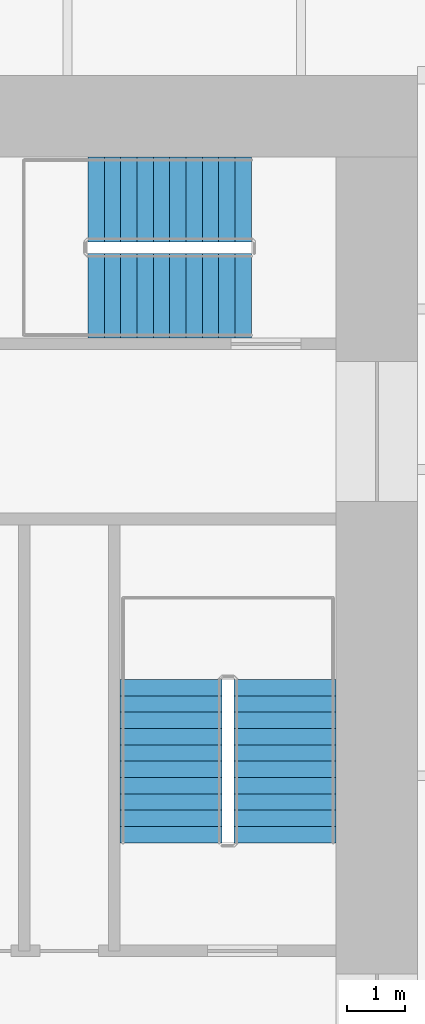
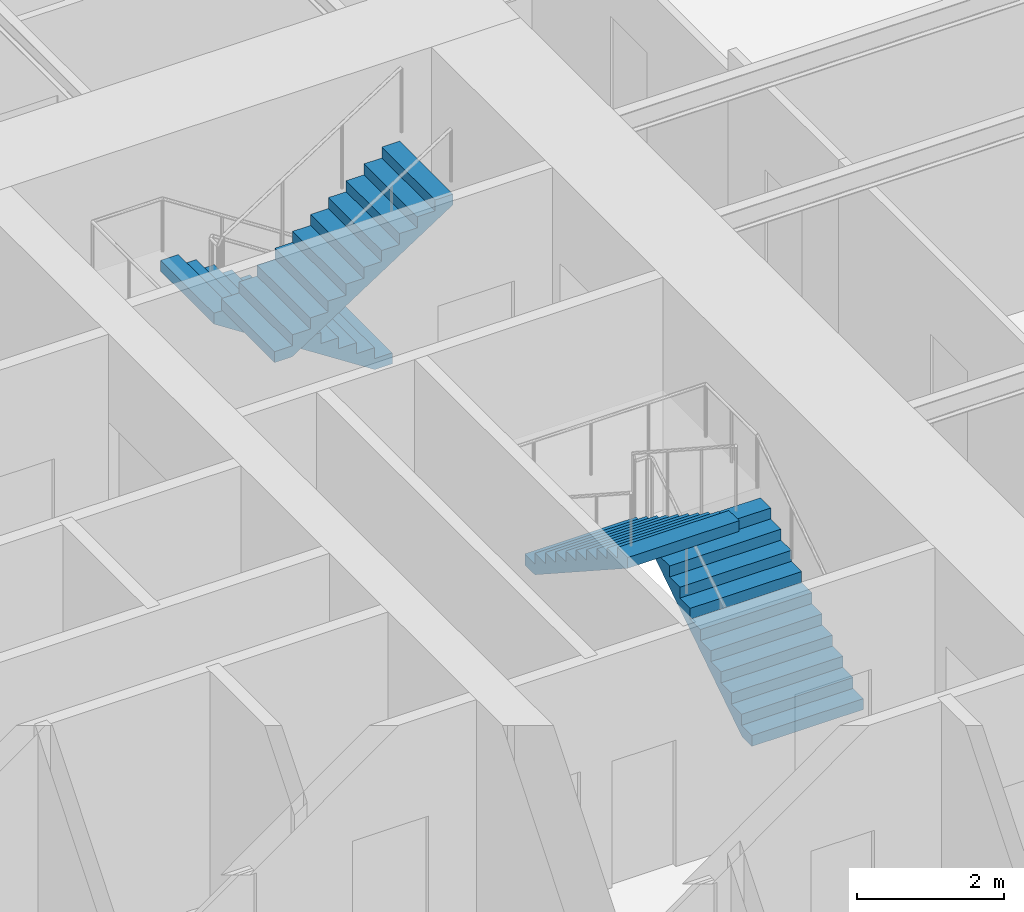
# One storey, part 7 of 9: 4 stair flights, 2 elements without a shape of their own.
"""IFC4 building model written with IfcOpenShell, lengths in metres."""

from ifc_helpers import new_model, si_unit, direction, frame, origin, place, context, subcontext, project, spatial, polyline, outline, extrude, material, type_object, element, aggregate, save


model = new_model("IFC4")

# Units and contexts
model_context = context("Model", 3, precision=1e-05, world=origin(), true_north=direction((0.0, 1.0)))
body_context = subcontext(model_context, "Body", "Model", "MODEL_VIEW")
ifc_project = project(units=[si_unit("LENGTHUNIT", "METRE"), si_unit("AREAUNIT", "SQUARE_METRE"), si_unit("VOLUMEUNIT", "CUBIC_METRE"), si_unit("PLANEANGLEUNIT", "RADIAN"), si_unit("MASSUNIT", "GRAM", prefix="KILO")], contexts=[model_context])

# Site, building, storey
site_placement = place(None, origin())
site = spatial("IfcSite", under=ifc_project, at=site_placement, CompositionType="ELEMENT")
building_placement = place(site_placement, origin())
building = spatial("IfcBuilding", under=site, at=building_placement, Name="Verdant Reach Tower", CompositionType="ELEMENT")
storey_placement = place(building_placement, frame((0.0, 0.0, 30.0)))
storey = spatial("IfcBuildingStorey", under=building, at=storey_placement, Name="L06", CompositionType="ELEMENT", Elevation=30.0)

# Stair, stair flights
ifc_material = material(Name="Concrete C40/50", Category="concrete")
stair_type = type_object("IfcStairType", Name="CO-STAIR", PredefinedType="HALF_TURN_STAIR", material=ifc_material)
stair_1_placement = place(storey_placement, origin())
stair_1 = element("IfcStair", 1, at=stair_1_placement, inside=storey, type_object=stair_type, Name="L06 Exit stair 2", PredefinedType="HALF_TURN_STAIR")
stair_flight_type = type_object("IfcStairFlightType", Name="CO-STAIR-FLIGHT", PredefinedType="STRAIGHT", material=ifc_material)
stair_flight_1_placement = place(storey_placement, frame((11.72509765625, 25.85009765625, 0.0), z_axis=(0.0, 0.0, 1.0), x_axis=(0.0, 1.0, 0.0)))
stair_flight_1 = element("IfcStairFlight", 2, at=stair_flight_1_placement, type_object=stair_flight_type, Name="ST-2 flight 1", NumberOfRisers=11, NumberOfTreads=10, PredefinedType="STRAIGHT", RiserHeight=0.181818182, TreadLength=0.28, context=body_context, shape_type="SweptSolid", body=[
    extrude(outline(polyline([(0.0, 0.0), (0.0, 0.181884765625), (0.280029296875, 0.181884765625), (0.280029296875, 0.363525390625), (0.56005859375, 0.363525390625), (0.56005859375, 0.54541015625), (0.840087890625, 0.54541015625), (0.840087890625, 0.727294921875), (1.1201171875, 0.727294921875), (1.1201171875, 0.9091796875), (1.39990234375, 0.9091796875), (1.39990234375, 1.0908203125), (1.679931640625, 1.0908203125), (1.679931640625, 1.272705078125), (1.9599609375, 1.272705078125), (1.9599609375, 1.45458984375), (2.239990234375, 1.45458984375), (2.239990234375, 1.636474609375), (2.52001953125, 1.636474609375), (2.52001953125, 1.818115234375), (2.800048828125, 1.818115234375), (2.800048828125, 2.0), (2.800048828125, 1.639404296875), (0.275146484375, 0.0), (0.0, 0.0)])), frame((0.0, 0.875, 0.0), z_axis=(0.0, -1.0, 0.0), x_axis=(1.0, 0.0, 0.0)), (0.0, 0.0, 1.0), 1.75),
])
stair_flight_2_placement = place(storey_placement, frame((9.77490234375, 28.64990234375, 2.0), z_axis=(0.0, 0.0, 1.0), x_axis=(0.0, -1.0, 0.0)))
stair_flight_2 = element("IfcStairFlight", 3, at=stair_flight_2_placement, type_object=stair_flight_type, Name="ST-2 flight 2", NumberOfRisers=11, NumberOfTreads=10, PredefinedType="STRAIGHT", RiserHeight=0.181818182, TreadLength=0.28, context=body_context, shape_type="SweptSolid", body=[
    extrude(outline(polyline([(0.0, 0.0), (0.0, 0.181884765625), (0.280029296875, 0.181884765625), (0.280029296875, 0.363525390625), (0.56005859375, 0.363525390625), (0.56005859375, 0.54541015625), (0.840087890625, 0.54541015625), (0.840087890625, 0.727294921875), (1.1201171875, 0.727294921875), (1.1201171875, 0.9091796875), (1.39990234375, 0.9091796875), (1.39990234375, 1.0908203125), (1.679931640625, 1.0908203125), (1.679931640625, 1.272705078125), (1.9599609375, 1.272705078125), (1.9599609375, 1.45458984375), (2.239990234375, 1.45458984375), (2.239990234375, 1.636474609375), (2.52001953125, 1.636474609375), (2.52001953125, 1.818115234375), (2.800048828125, 1.818115234375), (2.800048828125, 2.0), (2.800048828125, 1.639404296875), (0.275146484375, 0.0), (0.0, 0.0)])), frame((0.0, 0.875, 0.0), z_axis=(0.0, -1.0, 0.0), x_axis=(1.0, 0.0, 0.0)), (0.0, 0.0, 1.0), 1.75),
])
aggregate(stair_1, [stair_flight_1, stair_flight_2])

stair_2_placement = place(storey_placement, origin())
stair_2 = element("IfcStair", 4, at=stair_2_placement, inside=storey, type_object=stair_type, Name="L06 Exit stair 3", PredefinedType="HALF_TURN_STAIR")
stair_flight_3_placement = place(storey_placement, frame((11.14990234375, 36.875, 0.0), z_axis=(0.0, 0.0, 1.0), x_axis=(-1.0, 0.0, 0.0)))
stair_flight_3 = element("IfcStairFlight", 5, at=stair_flight_3_placement, type_object=stair_flight_type, Name="ST-3 flight 1", NumberOfRisers=11, NumberOfTreads=10, PredefinedType="STRAIGHT", RiserHeight=0.181818182, TreadLength=0.28, context=body_context, shape_type="SweptSolid", body=[
    extrude(outline(polyline([(0.0, 0.0), (0.0, 0.181884765625), (0.280029296875, 0.181884765625), (0.280029296875, 0.363525390625), (0.56005859375, 0.363525390625), (0.56005859375, 0.54541015625), (0.840087890625, 0.54541015625), (0.840087890625, 0.727294921875), (1.1201171875, 0.727294921875), (1.1201171875, 0.9091796875), (1.39990234375, 0.9091796875), (1.39990234375, 1.0908203125), (1.679931640625, 1.0908203125), (1.679931640625, 1.272705078125), (1.9599609375, 1.272705078125), (1.9599609375, 1.45458984375), (2.239990234375, 1.45458984375), (2.239990234375, 1.636474609375), (2.52001953125, 1.636474609375), (2.52001953125, 1.818115234375), (2.800048828125, 1.818115234375), (2.800048828125, 2.0), (2.800048828125, 1.639404296875), (0.275146484375, 0.0), (0.0, 0.0)])), frame((0.0, 0.72509765625, 0.0), z_axis=(0.0, -1.0, 0.0), x_axis=(1.0, 0.0, 0.0)), (0.0, 0.0, 1.0), 1.449951171875),
])
stair_flight_4_placement = place(storey_placement, frame((8.35009765625, 35.22509765625, 2.0), z_axis=(0.0, 0.0, 1.0), x_axis=(1.0, 0.0, 0.0)))
stair_flight_4 = element("IfcStairFlight", 6, at=stair_flight_4_placement, type_object=stair_flight_type, Name="ST-3 flight 2", NumberOfRisers=11, NumberOfTreads=10, PredefinedType="STRAIGHT", RiserHeight=0.181818182, TreadLength=0.28, context=body_context, shape_type="SweptSolid", body=[
    extrude(outline(polyline([(0.0, 0.0), (0.0, 0.181884765625), (0.280029296875, 0.181884765625), (0.280029296875, 0.363525390625), (0.56005859375, 0.363525390625), (0.56005859375, 0.54541015625), (0.840087890625, 0.54541015625), (0.840087890625, 0.727294921875), (1.1201171875, 0.727294921875), (1.1201171875, 0.9091796875), (1.39990234375, 0.9091796875), (1.39990234375, 1.0908203125), (1.679931640625, 1.0908203125), (1.679931640625, 1.272705078125), (1.9599609375, 1.272705078125), (1.9599609375, 1.45458984375), (2.239990234375, 1.45458984375), (2.239990234375, 1.636474609375), (2.52001953125, 1.636474609375), (2.52001953125, 1.818115234375), (2.800048828125, 1.818115234375), (2.800048828125, 2.0), (2.800048828125, 1.639404296875), (0.275146484375, 0.0), (0.0, 0.0)])), frame((0.0, 0.72509765625, 0.0), z_axis=(0.0, -1.0, 0.0), x_axis=(1.0, 0.0, 0.0)), (0.0, 0.0, 1.0), 1.449951171875),
])
aggregate(stair_2, [stair_flight_3, stair_flight_4])

save(model, "model.ifc")
